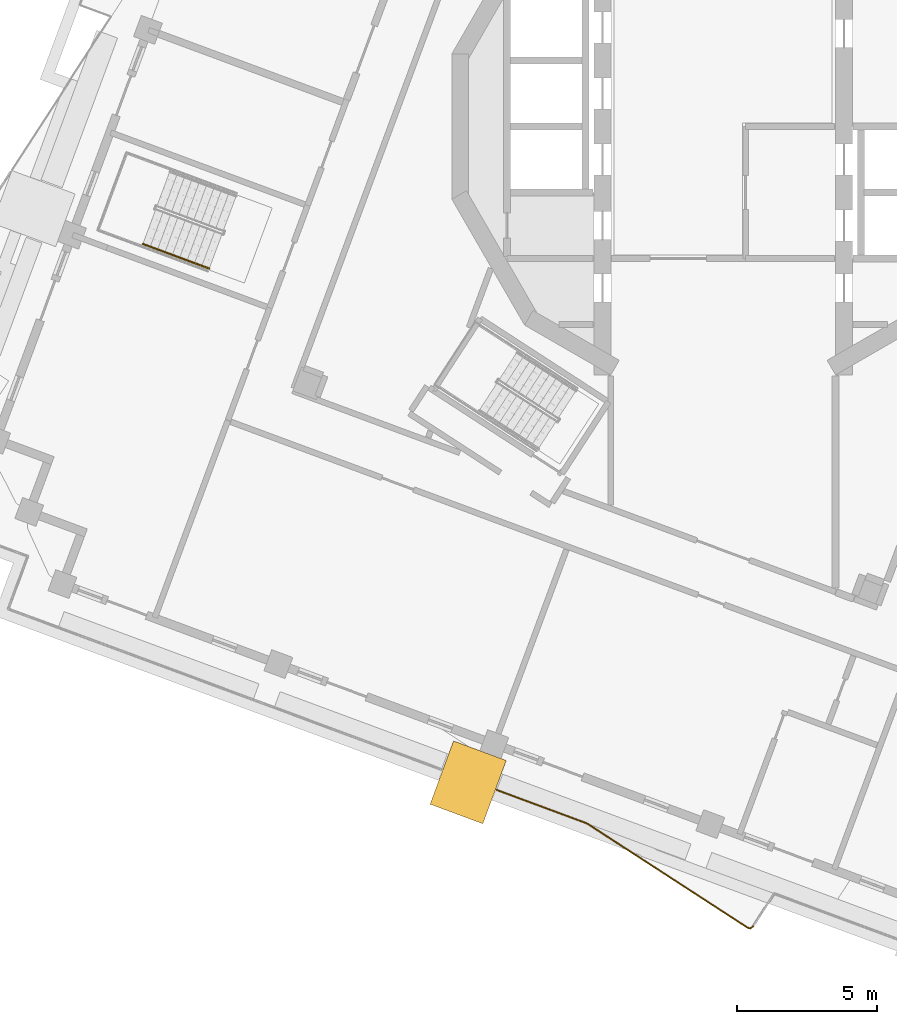
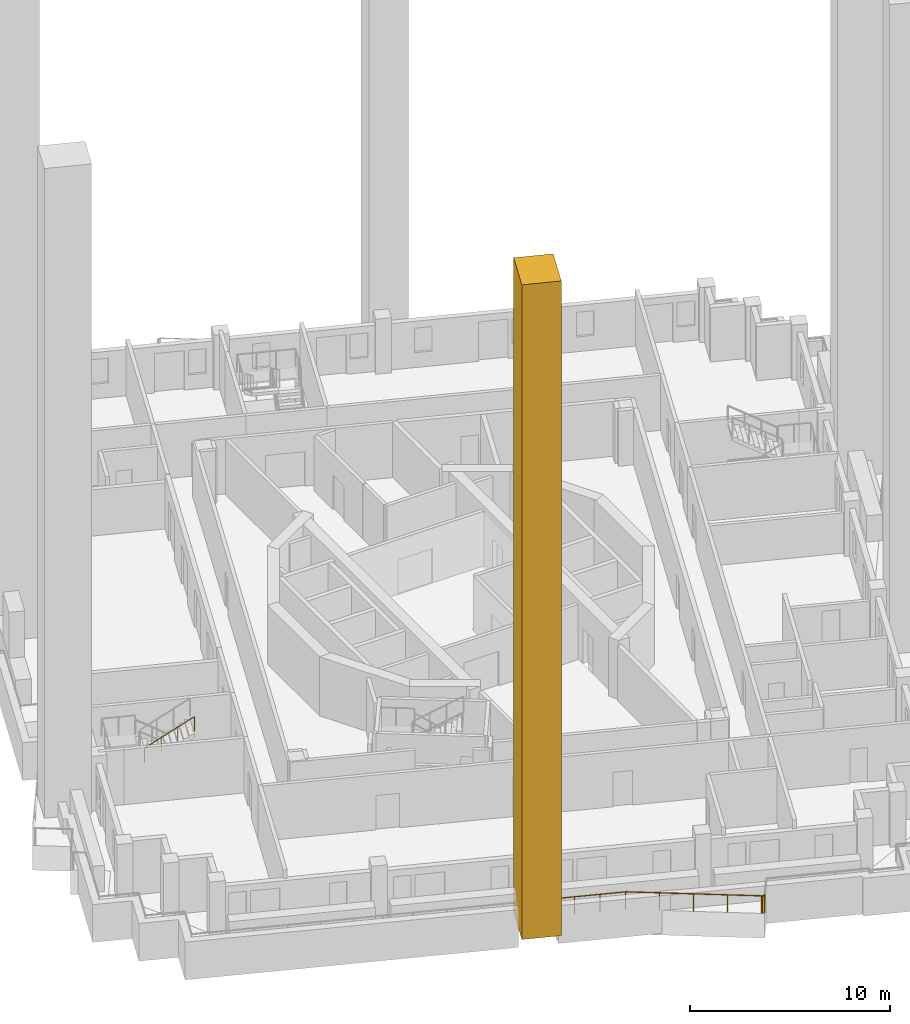
# One storey, part 11 of 20: 2 railings, 1 covering.
"""IFC4 building model written with IfcOpenShell, lengths in metres."""

import ifcopenshell
import ifcopenshell.guid

model = None  # the IFC model being written
_history = None  # IfcOwnerHistory: only IFC2X3 demands one
_inside = {}  # id of a spatial element -> (the spatial element, [elements in it])
_under = {}  # id of a project, library or spatial element -> (it, [spatial elements below it])
_declared = {}  # id of a project -> (the project, [libraries it declares])
_typed = {}  # id of a type object -> (the type object, [elements of that type])
_made_of = {}  # id of a material, layer set ... -> (it, [elements and type objects made of it])


def new_model(schema):
    """Start an empty IFC model of exactly this schema.

    Asked for "IFC4X3", IfcOpenShell would pick the latest addendum, in which some entities
    have other attributes; the version numbers below select the first issue.
    IFC2X3 requires an IfcOwnerHistory on every rooted entity: one is made here for all.
    """
    global model, _history
    if schema == "IFC4X3":
        model = ifcopenshell.file(schema_version=(4, 3, 0, 0))
    else:
        model = ifcopenshell.file(schema=schema)
    _inside.clear()
    _under.clear()
    _declared.clear()
    _typed.clear()
    _made_of.clear()
    _history = None
    if model.schema == "IFC2X3":
        org = make("IfcOrganization", Name="unknown")
        user = make(
            "IfcPersonAndOrganization",
            ThePerson=make("IfcPerson", FamilyName="unknown"),
            TheOrganization=org,
        )
        app = make(
            "IfcApplication",
            ApplicationDeveloper=org,
            Version="unknown",
            ApplicationFullName="unknown",
            ApplicationIdentifier="unknown",
        )
        _history = make(
            "IfcOwnerHistory",
            OwningUser=user,
            OwningApplication=app,
            ChangeAction="ADDED",
            CreationDate=0,
        )
    return model


def make(cls, **values):
    """One entity of the class cls with the attributes given. An attribute that is None is left unset."""
    return model.create_entity(
        cls, **{name: value for name, value in values.items() if value is not None}
    )


def rooted(cls, **values):
    """An entity with a GlobalId (a new one), such as an element, a storey or a relation."""
    return make(cls, GlobalId=ifcopenshell.guid.new(), OwnerHistory=_history, **values)


def si_unit(unit_type, name, prefix=None):
    """IfcSIUnit, for example si_unit("LENGTHUNIT", "METRE", prefix="MILLI")."""
    return make("IfcSIUnit", UnitType=unit_type, Prefix=prefix, Name=name)


def assignment(units):
    """IfcUnitAssignment: the units of a project."""
    return None if units is None else make("IfcUnitAssignment", Units=units)


def point(xyz):
    """IfcCartesianPoint."""
    return None if xyz is None else make("IfcCartesianPoint", Coordinates=xyz)


def direction(xyz):
    """IfcDirection."""
    return None if xyz is None else make("IfcDirection", DirectionRatios=xyz)


def frame(location, z_axis=None, x_axis=None):
    """IfcAxis2Placement3D, a coordinate frame: its origin and axes. An axis left out is left unset."""
    return make(
        "IfcAxis2Placement3D",
        Location=point(location),
        Axis=direction(z_axis),
        RefDirection=direction(x_axis),
    )


def frame_2d(location, x_axis=None):
    """IfcAxis2Placement2D, a coordinate frame in the plane: its origin and x axis."""
    return make(
        "IfcAxis2Placement2D", Location=point(location), RefDirection=direction(x_axis)
    )


def origin():
    """The frame at (0, 0, 0) with its axes left unset."""
    return frame((0.0, 0.0, 0.0))


def origin_2d():
    """The frame at (0, 0) in the plane with its x axis left unset."""
    return frame_2d((0.0, 0.0))


def place(relative_to, where):
    """IfcLocalPlacement: puts the frame where relative to a parent placement (None: the world)."""
    return make(
        "IfcLocalPlacement", PlacementRelTo=relative_to, RelativePlacement=where
    )


def context(
    kind, dimensions, precision=None, world=None, true_north=None, identifier=None
):
    """IfcGeometricRepresentationContext, for example the 3D "Model" context."""
    return make(
        "IfcGeometricRepresentationContext",
        ContextIdentifier=identifier,
        ContextType=kind,
        CoordinateSpaceDimension=dimensions,
        Precision=precision,
        WorldCoordinateSystem=world,
        TrueNorth=true_north,
    )


def subcontext(parent, identifier, kind, view, scale=None):
    """IfcGeometricRepresentationSubContext, for example "Body" below "Model"."""
    return make(
        "IfcGeometricRepresentationSubContext",
        ContextIdentifier=identifier,
        ContextType=kind,
        ParentContext=parent,
        TargetScale=scale,
        TargetView=view,
    )


def project(units=None, contexts=None):
    """IfcProject with its units and contexts."""
    return rooted(
        "IfcProject",
        Name="project",
        RepresentationContexts=contexts,
        UnitsInContext=assignment(units),
    )


def spatial(cls, under=None, at=None, **own):
    """A site, building, storey or space (cls), placed at a placement, below another one or the project."""
    s = rooted(cls, ObjectPlacement=at, **own)
    if under is not None:
        _under.setdefault(under.id(), (under, []))[1].append(s)
    return s


def profile(cls, at=None, kind="AREA", **sizes):
    """A parametric profile (cls). Its sizes go by their IFC names, for example OverallWidth=200.0."""
    return make(cls, ProfileType=kind, Position=at, **sizes)


def rectangle(**sizes):
    """IfcRectangleProfileDef."""
    return profile("IfcRectangleProfileDef", **sizes)


def circle(**sizes):
    """IfcCircleProfileDef."""
    return profile("IfcCircleProfileDef", **sizes)


def extrude(swept, where, along, depth):
    """IfcExtrudedAreaSolid: the profile swept, set in the frame where, extruded along a direction by depth."""
    return make(
        "IfcExtrudedAreaSolid",
        SweptArea=swept,
        Position=where,
        ExtrudedDirection=direction(along),
        Depth=depth,
    )


def shape(context_of_items, identifier, shape_type, items):
    """IfcShapeRepresentation: the items that make up one representation, for example the "Body"."""
    return make(
        "IfcShapeRepresentation",
        ContextOfItems=context_of_items,
        RepresentationIdentifier=identifier,
        RepresentationType=shape_type,
        Items=items,
    )


def material(Name=None, Category=None):
    """IfcMaterial."""
    return make("IfcMaterial", Name=Name, Category=Category)


def made_of(thing, what):
    """Note that an element or type object is made of a material, layer set ...; save() writes the relation."""
    if what is not None:
        _made_of.setdefault(what.id(), (what, []))[1].append(thing)
    return thing


def type_object(cls, material=None, **own):
    """A type object (cls), such as IfcWallType, which elements share."""
    return made_of(rooted(cls, **own), material)


def element(
    cls,
    number,
    at=None,
    inside=None,
    cuts=None,
    type_object=None,
    material=None,
    context=None,
    identifier="Body",
    shape_type=None,
    held_by="IfcProductDefinitionShape",
    body=None,
    shapes=None,
    **own,
):
    """One element of the class cls, such as IfcWall. Its Tag is "e" and its number.

    at: its placement. inside: the storey or other place that contains it. cuts: it is an
    opening in that element (IfcRelVoidsElement). A single representation is given by context,
    identifier, shape_type and body (its items); several are given by shapes. held_by: the class
    of the entity that holds the representations. save() writes the other relations.
    """
    e = rooted(cls, Tag="e%d" % number, ObjectPlacement=at, **own)
    if body is not None:
        shapes = [shape(context, identifier, shape_type, body)]
    if shapes is not None:
        e.Representation = make(held_by, Representations=shapes)
    if inside is not None:
        _inside.setdefault(inside.id(), (inside, []))[1].append(e)
    if cuts is not None:
        rooted(
            "IfcRelVoidsElement", RelatingBuildingElement=cuts, RelatedOpeningElement=e
        )
    if type_object is not None:
        _typed.setdefault(type_object.id(), (type_object, []))[1].append(e)
    return made_of(e, material)


def aggregate(whole, parts):
    """IfcRelAggregates: a whole, such as a stair, and the parts it consists of."""
    return rooted("IfcRelAggregates", RelatingObject=whole, RelatedObjects=parts)


def save(model, path):
    """Write the relations noted so far, then the file.

    IfcRelAggregates (storeys below a building ...), IfcRelContainedInSpatialStructure (elements
    in a storey), IfcRelDefinesByType, IfcRelAssociatesMaterial and IfcRelDeclares: one each for
    every whole, place, type object, material and project.
    """
    for whole, parts in _under.values():
        aggregate(whole, parts)
    for where, things in _inside.values():
        rooted(
            "IfcRelContainedInSpatialStructure",
            RelatedElements=things,
            RelatingStructure=where,
        )
    for kind, things in _typed.values():
        rooted("IfcRelDefinesByType", RelatedObjects=things, RelatingType=kind)
    for what, things in _made_of.values():
        rooted("IfcRelAssociatesMaterial", RelatedObjects=things, RelatingMaterial=what)
    for by, libraries in _declared.values():
        rooted("IfcRelDeclares", RelatingContext=by, RelatedDefinitions=libraries)
    model.write(path)


model = new_model("IFC4")

# Units and contexts
model_context = context("Model", 3, precision=1e-05, world=origin(), true_north=direction((0.0, 1.0)))
body_context = subcontext(model_context, "Body", "Model", "MODEL_VIEW")
ifc_project = project(units=[si_unit("LENGTHUNIT", "METRE"), si_unit("AREAUNIT", "SQUARE_METRE"), si_unit("VOLUMEUNIT", "CUBIC_METRE"), si_unit("PLANEANGLEUNIT", "RADIAN"), si_unit("MASSUNIT", "GRAM", prefix="KILO")], contexts=[model_context])

# Site, building, storey
site_placement = place(None, origin())
site = spatial("IfcSite", under=ifc_project, at=site_placement, CompositionType="ELEMENT")
building_placement = place(site_placement, origin())
building = spatial("IfcBuilding", under=site, at=building_placement, Name="Cantera Rosa Tower", CompositionType="ELEMENT")
storey_placement = place(building_placement, frame((0.0, 0.0, 306.10009765625)))
storey = spatial("IfcBuildingStorey", under=building, at=storey_placement, Name="L67", CompositionType="ELEMENT", Elevation=306.10009765625)

# Railings
ifc_material_1 = material(Name="Stainless steel and laminated glass", Category="steel")
railing_type_1 = type_object("IfcRailingType", Name="GUARD 1100", PredefinedType="BALUSTRADE", material=ifc_material_1)
railing_1_placement = place(storey_placement, frame((1.064208984375, -28.47314453125, 0.0)))
element("IfcRailing", 1, at=railing_1_placement, inside=storey, type_object=railing_type_1, Name="GUARD L67-1", PredefinedType="BALUSTRADE", context=body_context, shape_type="SweptSolid", body=[
    extrude(circle(Radius=0.030029296875, at=origin_2d()), frame((0.0, 0.0, 1.070068359375), z_axis=(-0.592076433961, -0.805881812891, 0.0), x_axis=(0.805881812891, -0.592076433961, 0.0)), (0.0, 0.0, 1.0), 0.014892578125),
    extrude(circle(Radius=0.030029296875, at=origin_2d()), frame((-0.0087890625, -0.011962890625, 1.070068359375), z_axis=(-0.66436383883, -0.747409318684, 0.0), x_axis=(0.747409318684, -0.66436383883, 0.0)), (0.0, 0.0, 1.0), 0.0146484375),
    extrude(circle(Radius=0.030029296875, at=origin_2d()), frame((-0.0185546875, -0.02294921875, 1.070068359375), z_axis=(-0.73160796015, -0.68172559923, 0.0), x_axis=(0.68172559923, -0.73160796015, 0.0)), (0.0, 0.0, 1.0), 0.0146484375),
    extrude(circle(Radius=0.030029296875, at=origin_2d()), frame((-0.029296875, -0.032958984375, 1.070068359375), z_axis=(-0.792010197197, -0.610507860339, 0.0), x_axis=(0.610507860339, -0.792010197197, 0.0)), (0.0, 0.0, 1.0), 0.014892578125),
    extrude(circle(Radius=0.030029296875, at=origin_2d()), frame((-0.041015625, -0.0419921875, 1.070068359375), z_axis=(-0.854521941471, -0.519415297757, 0.0), x_axis=(0.519415297757, -0.854521941471, 0.0)), (0.0, 0.0, 1.0), 0.0146484375),
    extrude(circle(Radius=0.030029296875, at=origin_2d()), frame((-0.053466796875, -0.049560546875, 1.070068359375), z_axis=(-0.894427191, -0.4472135955, 0.0), x_axis=(0.4472135955, -0.894427191, 0.0)), (0.0, 0.0, 1.0), 0.0146484375),
    extrude(circle(Radius=0.030029296875, at=origin_2d()), frame((-0.066650390625, -0.05615234375, 1.070068359375), z_axis=(-0.938343116817, -0.345705358827, 0.0), x_axis=(0.345705358827, -0.938343116817, 0.0)), (0.0, 0.0, 1.0), 0.014892578125),
    extrude(circle(Radius=0.030029296875, at=origin_2d()), frame((-0.08056640625, -0.061279296875, 1.070068359375), z_axis=(-0.968146911612, -0.250382821969, 0.0), x_axis=(0.250382821969, -0.968146911612, 0.0)), (0.0, 0.0, 1.0), 0.0146484375),
    extrude(circle(Radius=0.030029296875, at=origin_2d()), frame((-0.0947265625, -0.06494140625, 1.070068359375), z_axis=(-0.986393923832, -0.164398987305, 0.0), x_axis=(0.164398987305, -0.986393923832, 0.0)), (0.0, 0.0, 1.0), 0.014892578125),
    extrude(circle(Radius=0.030029296875, at=origin_2d()), frame((-0.109375, -0.0673828125, 1.070068359375), z_axis=(-0.997785157857, -0.066519010524, 0.0), x_axis=(0.066519010524, -0.997785157857, 0.0)), (0.0, 0.0, 1.0), 0.0146484375),
    extrude(circle(Radius=0.030029296875, at=origin_2d()), frame((-0.1240234375, -0.068359375, 1.070068359375), z_axis=(-0.998752338878, 0.049937616944, 0.0), x_axis=(-0.049937616944, -0.998752338878, 0.0)), (0.0, 0.0, 1.0), 0.0146484375),
    extrude(circle(Radius=0.030029296875, at=origin_2d()), frame((-0.138671875, -0.067626953125, 1.070068359375), z_axis=(-0.991227900683, 0.132163720091, 0.0), x_axis=(-0.132163720091, -0.991227900683, 0.0)), (0.0, 0.0, 1.0), 0.014892578125),
    extrude(circle(Radius=0.030029296875, at=origin_2d()), frame((-0.1533203125, -0.065673828125, 1.070068359375), z_axis=(-0.972082208573, 0.234640533104, 0.0), x_axis=(-0.234640533104, -0.972082208573, 0.0)), (0.0, 0.0, 1.0), 0.0146484375),
    extrude(circle(Radius=0.030029296875, at=origin_2d()), frame((-0.16748046875, -0.062255859375, 1.070068359375), z_axis=(-0.948683298051, 0.316227766017, 0.0), x_axis=(-0.316227766017, -0.948683298051, 0.0)), (0.0, 0.0, 1.0), 0.0146484375),
    extrude(circle(Radius=0.030029296875, at=origin_2d()), frame((-0.181396484375, -0.0576171875, 1.070068359375), z_axis=(-0.910366477463, 0.413802944301, 0.0), x_axis=(-0.413802944301, -0.910366477463, 0.0)), (0.0, 0.0, 1.0), 0.0146484375),
    extrude(circle(Radius=0.030029296875, at=origin_2d()), frame((-0.19482421875, -0.051513671875, 1.070068359375), z_axis=(-0.858946974209, 0.512064542317, 0.0), x_axis=(-0.512064542317, -0.858946974209, 0.0)), (0.0, 0.0, 1.0), 0.014892578125),
    extrude(circle(Radius=0.030029296875, at=origin_2d()), frame((-0.20751953125, -0.0439453125, 1.070068359375), z_axis=(-0.838676414458, 0.544630032069, 0.0), x_axis=(-0.544630032069, -0.838676414458, 0.0)), (0.0, 0.0, 1.0), 6.802490234375),
    extrude(circle(Radius=0.030029296875, at=origin_2d()), frame((-5.91259765625, 3.660888671875, 1.070068359375), z_axis=(-0.857492925713, 0.514495755428, 0.0), x_axis=(-0.514495755428, -0.857492925713, 0.0)), (0.0, 0.0, 1.0), 0.004150390625),
    extrude(circle(Radius=0.030029296875, at=origin_2d()), frame((-5.916259765625, 3.6630859375, 1.070068359375), z_axis=(-0.923076923077, 0.384615384615, 0.0), x_axis=(-0.384615384615, -0.923076923077, 0.0)), (0.0, 0.0, 1.0), 0.003173828125),
    extrude(circle(Radius=0.030029296875, at=origin_2d()), frame((-5.919189453125, 3.664306640625, 1.070068359375), z_axis=(-0.937697148257, 0.347453677705, 0.0), x_axis=(-0.347453677705, -0.937697148257, 0.0)), (0.0, 0.0, 1.0), 2.568115234375),
    extrude(circle(Radius=0.030029296875, at=origin_2d()), frame((-8.327392578125, 4.556640625, 1.070068359375), z_axis=(-0.937627938157, 0.347640402697, 0.0), x_axis=(-0.347640402697, -0.937627938157, 0.0)), (0.0, 0.0, 1.0), 0.707275390625),
    extrude(circle(Radius=0.030029296875, at=origin_2d()), frame((-8.990478515625, 4.802490234375, 1.070068359375), z_axis=(-0.93912285212, 0.343581531264, 0.0), x_axis=(-0.343581531264, -0.93912285212, 0.0)), (0.0, 0.0, 1.0), 0.042724609375),
    extrude(circle(Radius=0.030029296875, at=origin_2d()), frame((-9.030517578125, 4.817138671875, 1.070068359375), z_axis=(-0.937576914778, 0.347777987911, 0.0), x_axis=(-0.347777987911, -0.937576914778, 0.0)), (0.0, 0.0, 1.0), 0.1201171875),
    extrude(circle(Radius=0.02490234375, at=origin_2d()), origin(), (0.0, 0.0, 1.0), 1.0400390625),
    extrude(circle(Radius=0.02490234375, at=origin_2d()), frame((-0.0087890625, -0.011962890625, 0.0)), (0.0, 0.0, 1.0), 1.0400390625),
    extrude(circle(Radius=0.02490234375, at=origin_2d()), frame((-0.0185546875, -0.02294921875, 0.0)), (0.0, 0.0, 1.0), 1.0400390625),
    extrude(circle(Radius=0.02490234375, at=origin_2d()), frame((-0.029296875, -0.032958984375, 0.0)), (0.0, 0.0, 1.0), 1.0400390625),
    extrude(circle(Radius=0.02490234375, at=origin_2d()), frame((-0.041015625, -0.0419921875, 0.0)), (0.0, 0.0, 1.0), 1.0400390625),
    extrude(circle(Radius=0.02490234375, at=origin_2d()), frame((-0.053466796875, -0.049560546875, 0.0)), (0.0, 0.0, 1.0), 1.0400390625),
    extrude(circle(Radius=0.02490234375, at=origin_2d()), frame((-0.066650390625, -0.05615234375, 0.0)), (0.0, 0.0, 1.0), 1.0400390625),
    extrude(circle(Radius=0.02490234375, at=origin_2d()), frame((-0.08056640625, -0.061279296875, 0.0)), (0.0, 0.0, 1.0), 1.0400390625),
    extrude(circle(Radius=0.02490234375, at=origin_2d()), frame((-0.0947265625, -0.06494140625, 0.0)), (0.0, 0.0, 1.0), 1.0400390625),
    extrude(circle(Radius=0.02490234375, at=origin_2d()), frame((-0.109375, -0.0673828125, 0.0)), (0.0, 0.0, 1.0), 1.0400390625),
    extrude(circle(Radius=0.02490234375, at=origin_2d()), frame((-0.1240234375, -0.068359375, 0.0)), (0.0, 0.0, 1.0), 1.0400390625),
    extrude(circle(Radius=0.02490234375, at=origin_2d()), frame((-0.138671875, -0.067626953125, 0.0)), (0.0, 0.0, 1.0), 1.0400390625),
    extrude(circle(Radius=0.02490234375, at=origin_2d()), frame((-0.1533203125, -0.065673828125, 0.0)), (0.0, 0.0, 1.0), 1.0400390625),
    extrude(circle(Radius=0.02490234375, at=origin_2d()), frame((-0.16748046875, -0.062255859375, 0.0)), (0.0, 0.0, 1.0), 1.0400390625),
    extrude(circle(Radius=0.02490234375, at=origin_2d()), frame((-0.181396484375, -0.0576171875, 0.0)), (0.0, 0.0, 1.0), 1.0400390625),
    extrude(circle(Radius=0.02490234375, at=origin_2d()), frame((-0.19482421875, -0.051513671875, 0.0)), (0.0, 0.0, 1.0), 1.0400390625),
    extrude(circle(Radius=0.02490234375, at=origin_2d()), frame((-0.20751953125, -0.0439453125, 0.0)), (0.0, 0.0, 1.0), 1.0400390625),
    extrude(circle(Radius=0.02490234375, at=origin_2d()), frame((-1.6337890625, 0.88232421875, 0.0)), (0.0, 0.0, 1.0), 1.0400390625),
    extrude(circle(Radius=0.02490234375, at=origin_2d()), frame((-3.06005859375, 1.80859375, 0.0)), (0.0, 0.0, 1.0), 1.0400390625),
    extrude(circle(Radius=0.02490234375, at=origin_2d()), frame((-4.486328125, 2.734619140625, 0.0)), (0.0, 0.0, 1.0), 1.0400390625),
    extrude(circle(Radius=0.02490234375, at=origin_2d()), frame((-5.91259765625, 3.660888671875, 0.0)), (0.0, 0.0, 1.0), 1.0400390625),
    extrude(circle(Radius=0.02490234375, at=origin_2d()), frame((-5.916259765625, 3.6630859375, 0.0)), (0.0, 0.0, 1.0), 1.0400390625),
    extrude(circle(Radius=0.02490234375, at=origin_2d()), frame((-5.919189453125, 3.664306640625, 0.0)), (0.0, 0.0, 1.0), 1.0400390625),
    extrude(circle(Radius=0.02490234375, at=origin_2d()), frame((-7.123291015625, 4.1103515625, 0.0)), (0.0, 0.0, 1.0), 1.0400390625),
    extrude(circle(Radius=0.02490234375, at=origin_2d()), frame((-8.327392578125, 4.556640625, 0.0)), (0.0, 0.0, 1.0), 1.0400390625),
    extrude(circle(Radius=0.02490234375, at=origin_2d()), frame((-8.990478515625, 4.802490234375, 0.0)), (0.0, 0.0, 1.0), 1.0400390625),
    extrude(circle(Radius=0.02490234375, at=origin_2d()), frame((-9.030517578125, 4.817138671875, 0.0)), (0.0, 0.0, 1.0), 1.0400390625),
    extrude(circle(Radius=0.02490234375, at=origin_2d()), frame((-9.14306640625, 4.85888671875, 0.0)), (0.0, 0.0, 1.0), 1.0400390625),
])
ifc_material_2 = material(Name="Steel S355J2 (EN 10025-2)", Category="steel")
railing_type_2 = type_object("IfcRailingType", Name="STAIR HANDRAIL 900", PredefinedType="HANDRAIL", material=ifc_material_2)
railing_2_placement = place(storey_placement, frame((-20.660400390625, -4.181396484375, 1.97998046875)))
element("IfcRailing", 2, at=railing_2_placement, inside=storey, type_object=railing_type_2, Name="L67 ST-63 stair handrail 2", PredefinedType="HANDRAIL", context=body_context, shape_type="SweptSolid", body=[
    extrude(circle(Radius=0.02392578125, at=origin_2d()), frame((0.0, 0.0, 0.8759765625), z_axis=(0.78878233546, -0.292319685639, 0.540713998944), x_axis=(0.347500508527, 0.937679794265, 0.0)), (0.0, 0.0, 1.0), 2.995849609375),
    extrude(circle(Radius=0.02099609375, at=origin_2d()), origin(), (0.0, 0.0, 1.0), 0.851806640625),
    extrude(circle(Radius=0.02099609375, at=origin_2d()), frame((0.78759765625, -0.2919921875, 0.5400390625)), (0.0, 0.0, 1.0), 0.851806640625),
    extrude(circle(Radius=0.02099609375, at=origin_2d()), frame((1.575439453125, -0.583740234375, 1.079833984375)), (0.0, 0.0, 1.0), 0.851806640625),
    extrude(circle(Radius=0.02099609375, at=origin_2d()), frame((2.363037109375, -0.875732421875, 1.619873046875)), (0.0, 0.0, 1.0), 0.851806640625),
])

# Covering
ifc_material_3 = material(Name="Cantera stone", Category="masonry")
covering_type = type_object("IfcCoveringType", Name="STONE FIN 2000x2400", PredefinedType="CLADDING", material=ifc_material_3)
covering_placement = place(storey_placement, frame((-9.07958984375, -23.35009765625, -0.300048828125), z_axis=(0.0, 0.0, 1.0), x_axis=(0.937686936924, -0.347481234489, 0.0)))
element("IfcCovering", 3, at=covering_placement, inside=storey, type_object=covering_type, Name="STONE FIN FN-Z6-06", PredefinedType="CLADDING", context=body_context, shape_type="SweptSolid", body=[
    extrude(rectangle(XDim=2.0, YDim=2.39990234375, at=origin_2d()), origin(), (0.0, 0.0, 1.0), 39.89990234375),
])

save(model, "model.ifc")
